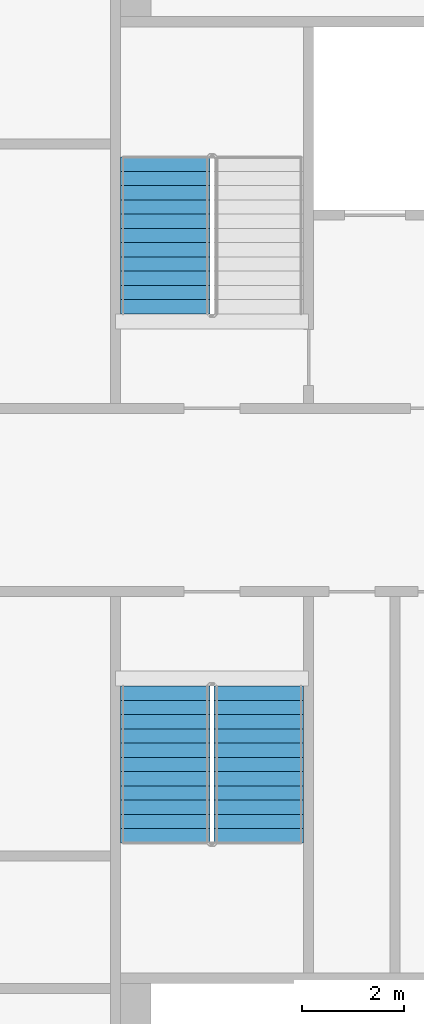
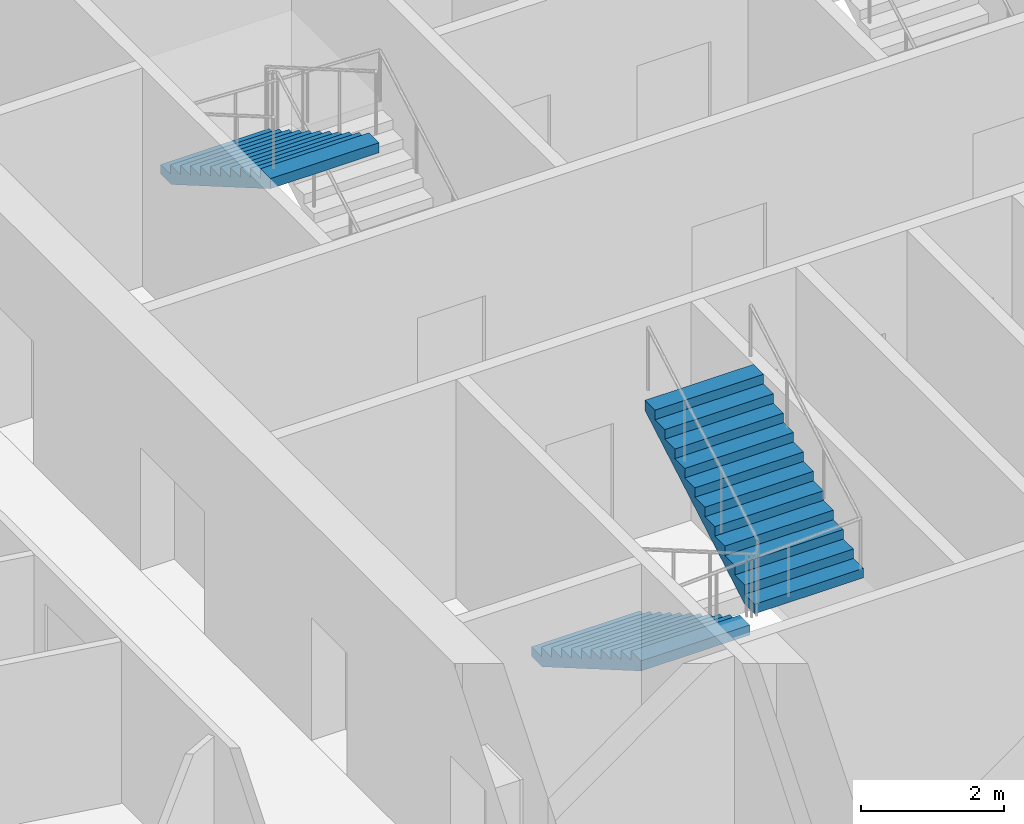
# One storey, part 16 of 23: 3 stair flights, 2 elements without a shape of their own.
"""IFC4 building model written with IfcOpenShell, lengths in metres."""

from ifc_helpers import new_model, si_unit, direction, frame, origin, place, context, subcontext, project, spatial, faceted_brep, material, type_object, element, aggregate, save


model = new_model("IFC4")

# Units and contexts
model_context = context("Model", 3, precision=1e-05, world=origin(), true_north=direction((0.0, 1.0)))
body_context = subcontext(model_context, "Body", "Model", "MODEL_VIEW")
ifc_project = project(units=[si_unit("LENGTHUNIT", "METRE"), si_unit("AREAUNIT", "SQUARE_METRE"), si_unit("VOLUMEUNIT", "CUBIC_METRE"), si_unit("PLANEANGLEUNIT", "RADIAN"), si_unit("MASSUNIT", "GRAM", prefix="KILO")], contexts=[model_context])

# Site, building, storey
site_placement = place(None, origin())
site = spatial("IfcSite", under=ifc_project, at=site_placement, CompositionType="ELEMENT")
building_placement = place(site_placement, origin())
building = spatial("IfcBuilding", under=site, at=building_placement, Name="Tarsis Ring Headquarters", CompositionType="ELEMENT")
storey_placement = place(building_placement, frame((0.0, 0.0, 239.39990234375)))
storey = spatial("IfcBuildingStorey", under=building, at=storey_placement, Name="L56", CompositionType="ELEMENT", Elevation=239.39990234375)

# Stair, stair flight
ifc_material_1 = material(Name="Core stair 1760")
stair_type = type_object("IfcStairType", Name="Core stair 1760", PredefinedType="HALF_TURN_STAIR", material=ifc_material_1)
stair_1_placement = place(storey_placement, origin())
stair_1 = element("IfcStair", 1, at=stair_1_placement, inside=storey, type_object=stair_type, Name="L56 Firefighting stair", PredefinedType="HALF_TURN_STAIR")
ifc_material_2 = material(Name="Concrete C40/50", Category="concrete")
stair_flight_type = type_object("IfcStairFlightType", Name="Core stair flight 1760", PredefinedType="STRAIGHT", material=ifc_material_2)
stair_flight_1_placement = place(storey_placement, frame((-5.419921875, 6.739990234375, 1.9501953125), z_axis=(0.0, 0.0, 1.0), x_axis=(0.0, -1.0, 0.0)))
stair_flight_1 = element("IfcStairFlight", 2, at=stair_flight_1_placement, type_object=stair_flight_type, Name="Stair ST1 flight 2", NumberOfRisers=12, NumberOfTreads=11, PredefinedType="STRAIGHT", RiserHeight=0.1625, TreadLength=0.28, context=body_context, shape_type="Brep", body=[
    faceted_brep([(0.0, 0.8798828125, 0.0), (0.0, 0.8798828125, 0.16259765625), (0.280029296875, 0.8798828125, 0.16259765625), (0.280029296875, 0.8798828125, 0.324951171875), (0.56005859375, 0.8798828125, 0.324951171875), (0.56005859375, 0.8798828125, 0.487548828125), (0.840087890625, 0.8798828125, 0.487548828125), (0.840087890625, 0.8798828125, 0.64990234375), (1.1201171875, 0.8798828125, 0.64990234375), (1.1201171875, 0.8798828125, 0.8125), (1.39990234375, 0.8798828125, 0.8125), (1.39990234375, 0.8798828125, 0.97509765625), (1.679931640625, 0.8798828125, 0.97509765625), (1.679931640625, 0.8798828125, 1.137451171875), (1.9599609375, 0.8798828125, 1.137451171875), (1.9599609375, 0.8798828125, 1.300048828125), (2.239990234375, 0.8798828125, 1.300048828125), (2.239990234375, 0.8798828125, 1.46240234375), (2.52001953125, 0.8798828125, 1.46240234375), (2.52001953125, 0.8798828125, 1.625), (2.800048828125, 0.8798828125, 1.625), (2.800048828125, 0.8798828125, 1.78759765625), (3.080078125, 0.8798828125, 1.78759765625), (3.080078125, 0.8798828125, 1.6142578125), (0.298583984375, 0.8798828125, 0.0), (0.298583984375, -0.8798828125, 0.0), (3.080078125, -0.8798828125, 1.6142578125), (3.080078125, -0.8798828125, 1.78759765625), (2.800048828125, -0.8798828125, 1.78759765625), (2.800048828125, -0.8798828125, 1.625), (2.52001953125, -0.8798828125, 1.625), (2.52001953125, -0.8798828125, 1.46240234375), (2.239990234375, -0.8798828125, 1.46240234375), (2.239990234375, -0.8798828125, 1.300048828125), (1.9599609375, -0.8798828125, 1.300048828125), (1.9599609375, -0.8798828125, 1.137451171875), (1.679931640625, -0.8798828125, 1.137451171875), (1.679931640625, -0.8798828125, 0.97509765625), (1.39990234375, -0.8798828125, 0.97509765625), (1.39990234375, -0.8798828125, 0.8125), (1.1201171875, -0.8798828125, 0.8125), (1.1201171875, -0.8798828125, 0.64990234375), (0.840087890625, -0.8798828125, 0.64990234375), (0.840087890625, -0.8798828125, 0.487548828125), (0.56005859375, -0.8798828125, 0.487548828125), (0.56005859375, -0.8798828125, 0.324951171875), (0.280029296875, -0.8798828125, 0.324951171875), (0.280029296875, -0.8798828125, 0.16259765625), (0.0, -0.8798828125, 0.16259765625), (0.0, -0.8798828125, 0.0), (0.0, -0.43994140625, 0.16259765625), (0.0, -0.43994140625, 0.0), (0.0, 0.0, 0.16259765625), (0.0, 0.0, 0.0), (0.0, 0.43994140625, 0.16259765625), (0.0, 0.43994140625, 0.0), (0.280029296875, -0.43994140625, 0.16259765625), (0.280029296875, 0.0, 0.16259765625), (0.280029296875, 0.43994140625, 0.16259765625), (0.280029296875, -0.43994140625, 0.324951171875), (0.280029296875, 0.0, 0.324951171875), (0.280029296875, 0.43994140625, 0.324951171875), (0.56005859375, -0.43994140625, 0.324951171875), (0.56005859375, 0.0, 0.324951171875), (0.56005859375, 0.43994140625, 0.324951171875), (0.56005859375, -0.43994140625, 0.487548828125), (0.56005859375, 0.0, 0.487548828125), (0.56005859375, 0.43994140625, 0.487548828125), (0.840087890625, -0.43994140625, 0.487548828125), (0.840087890625, 0.0, 0.487548828125), (0.840087890625, 0.43994140625, 0.487548828125), (0.840087890625, -0.43994140625, 0.64990234375), (0.840087890625, 0.0, 0.64990234375), (0.840087890625, 0.43994140625, 0.64990234375), (1.1201171875, -0.43994140625, 0.64990234375), (1.1201171875, 0.0, 0.64990234375), (1.1201171875, 0.43994140625, 0.64990234375), (1.1201171875, -0.43994140625, 0.8125), (1.1201171875, 0.0, 0.8125), (1.1201171875, 0.43994140625, 0.8125), (1.39990234375, -0.43994140625, 0.8125), (1.39990234375, 0.0, 0.8125), (1.39990234375, 0.43994140625, 0.8125), (1.39990234375, -0.43994140625, 0.97509765625), (1.39990234375, 0.0, 0.97509765625), (1.39990234375, 0.43994140625, 0.97509765625), (1.679931640625, -0.43994140625, 0.97509765625), (1.679931640625, 0.0, 0.97509765625), (1.679931640625, 0.43994140625, 0.97509765625), (1.679931640625, -0.43994140625, 1.137451171875), (1.679931640625, 0.0, 1.137451171875), (1.679931640625, 0.43994140625, 1.137451171875), (1.9599609375, -0.43994140625, 1.137451171875), (1.9599609375, 0.0, 1.137451171875), (1.9599609375, 0.43994140625, 1.137451171875), (1.9599609375, -0.43994140625, 1.300048828125), (1.9599609375, 0.0, 1.300048828125), (1.9599609375, 0.43994140625, 1.300048828125), (2.239990234375, -0.43994140625, 1.300048828125), (2.239990234375, 0.0, 1.300048828125), (2.239990234375, 0.43994140625, 1.300048828125), (2.239990234375, -0.43994140625, 1.46240234375), (2.239990234375, 0.0, 1.46240234375), (2.239990234375, 0.43994140625, 1.46240234375), (2.52001953125, -0.43994140625, 1.46240234375), (2.52001953125, 0.0, 1.46240234375), (2.52001953125, 0.43994140625, 1.46240234375), (2.52001953125, -0.43994140625, 1.625), (2.52001953125, 0.0, 1.625), (2.52001953125, 0.43994140625, 1.625), (2.800048828125, -0.43994140625, 1.625), (2.800048828125, 0.0, 1.625), (2.800048828125, 0.43994140625, 1.625), (2.800048828125, -0.43994140625, 1.78759765625), (2.800048828125, 0.0, 1.78759765625), (2.800048828125, 0.43994140625, 1.78759765625), (3.080078125, -0.43994140625, 1.78759765625), (3.080078125, 0.0, 1.78759765625), (3.080078125, 0.43994140625, 1.78759765625), (3.080078125, -0.43994140625, 1.6142578125), (3.080078125, 0.0, 1.6142578125), (3.080078125, 0.43994140625, 1.6142578125), (0.298583984375, -0.43994140625, 0.0), (0.298583984375, 0.0, 0.0), (0.298583984375, 0.43994140625, 0.0)], [[[0, 1, 2, 3, 4, 5, 6, 7, 8, 9, 10, 11, 12, 13, 14, 15, 16, 17, 18, 19, 20, 21, 22, 23, 24]], [[25, 26, 27, 28, 29, 30, 31, 32, 33, 34, 35, 36, 37, 38, 39, 40, 41, 42, 43, 44, 45, 46, 47, 48, 49]], [[49, 48, 50, 51]], [[51, 50, 52, 53]], [[53, 52, 54, 55]], [[55, 54, 1, 0]], [[48, 47, 56, 50]], [[50, 56, 57, 52]], [[52, 57, 58, 54]], [[54, 58, 2, 1]], [[47, 46, 59, 56]], [[56, 59, 60, 57]], [[57, 60, 61, 58]], [[58, 61, 3, 2]], [[46, 45, 62, 59]], [[59, 62, 63, 60]], [[60, 63, 64, 61]], [[61, 64, 4, 3]], [[45, 44, 65, 62]], [[62, 65, 66, 63]], [[63, 66, 67, 64]], [[64, 67, 5, 4]], [[44, 43, 68, 65]], [[65, 68, 69, 66]], [[66, 69, 70, 67]], [[67, 70, 6, 5]], [[43, 42, 71, 68]], [[68, 71, 72, 69]], [[69, 72, 73, 70]], [[70, 73, 7, 6]], [[42, 41, 74, 71]], [[71, 74, 75, 72]], [[72, 75, 76, 73]], [[73, 76, 8, 7]], [[41, 40, 77, 74]], [[74, 77, 78, 75]], [[75, 78, 79, 76]], [[76, 79, 9, 8]], [[40, 39, 80, 77]], [[77, 80, 81, 78]], [[78, 81, 82, 79]], [[79, 82, 10, 9]], [[39, 38, 83, 80]], [[80, 83, 84, 81]], [[81, 84, 85, 82]], [[82, 85, 11, 10]], [[38, 37, 86, 83]], [[83, 86, 87, 84]], [[84, 87, 88, 85]], [[85, 88, 12, 11]], [[37, 36, 89, 86]], [[86, 89, 90, 87]], [[87, 90, 91, 88]], [[88, 91, 13, 12]], [[36, 35, 92, 89]], [[89, 92, 93, 90]], [[90, 93, 94, 91]], [[91, 94, 14, 13]], [[35, 34, 95, 92]], [[92, 95, 96, 93]], [[93, 96, 97, 94]], [[94, 97, 15, 14]], [[34, 33, 98, 95]], [[95, 98, 99, 96]], [[96, 99, 100, 97]], [[97, 100, 16, 15]], [[33, 32, 101, 98]], [[98, 101, 102, 99]], [[99, 102, 103, 100]], [[100, 103, 17, 16]], [[32, 31, 104, 101]], [[101, 104, 105, 102]], [[102, 105, 106, 103]], [[103, 106, 18, 17]], [[31, 30, 107, 104]], [[104, 107, 108, 105]], [[105, 108, 109, 106]], [[106, 109, 19, 18]], [[30, 29, 110, 107]], [[107, 110, 111, 108]], [[108, 111, 112, 109]], [[109, 112, 20, 19]], [[29, 28, 113, 110]], [[110, 113, 114, 111]], [[111, 114, 115, 112]], [[112, 115, 21, 20]], [[28, 27, 116, 113]], [[113, 116, 117, 114]], [[114, 117, 118, 115]], [[115, 118, 22, 21]], [[27, 26, 119, 116]], [[116, 119, 120, 117]], [[117, 120, 121, 118]], [[118, 121, 23, 22]], [[26, 25, 122, 119]], [[119, 122, 123, 120]], [[120, 123, 124, 121]], [[121, 124, 24, 23]], [[25, 49, 51, 122]], [[122, 51, 53, 123]], [[123, 53, 55, 124]], [[124, 55, 0, 24]]]),
])
aggregate(stair_1, [stair_flight_1])

# Stair, stair flights
stair_2_placement = place(storey_placement, origin())
stair_2 = element("IfcStair", 3, at=stair_2_placement, inside=storey, type_object=stair_type, Name="L56 Exit stair C", PredefinedType="HALF_TURN_STAIR")
stair_flight_2_placement = place(storey_placement, frame((-5.419921875, -3.659912109375, 0.0), z_axis=(0.0, 0.0, 1.0), x_axis=(0.0, -1.0, 0.0)))
stair_flight_2 = element("IfcStairFlight", 4, at=stair_flight_2_placement, type_object=stair_flight_type, Name="Stair ST3 flight 1", NumberOfRisers=12, NumberOfTreads=11, PredefinedType="STRAIGHT", RiserHeight=0.1625, TreadLength=0.28, context=body_context, shape_type="Brep", body=[
    faceted_brep([(0.0, 0.8798828125, 0.0), (0.0, 0.8798828125, 0.16259765625), (0.280029296875, 0.8798828125, 0.16259765625), (0.280029296875, 0.8798828125, 0.324951171875), (0.56005859375, 0.8798828125, 0.324951171875), (0.56005859375, 0.8798828125, 0.487548828125), (0.840087890625, 0.8798828125, 0.487548828125), (0.840087890625, 0.8798828125, 0.64990234375), (1.1201171875, 0.8798828125, 0.64990234375), (1.1201171875, 0.8798828125, 0.8125), (1.39990234375, 0.8798828125, 0.8125), (1.39990234375, 0.8798828125, 0.97509765625), (1.679931640625, 0.8798828125, 0.97509765625), (1.679931640625, 0.8798828125, 1.137451171875), (1.9599609375, 0.8798828125, 1.137451171875), (1.9599609375, 0.8798828125, 1.300048828125), (2.239990234375, 0.8798828125, 1.300048828125), (2.239990234375, 0.8798828125, 1.46240234375), (2.52001953125, 0.8798828125, 1.46240234375), (2.52001953125, 0.8798828125, 1.625), (2.800048828125, 0.8798828125, 1.625), (2.800048828125, 0.8798828125, 1.78759765625), (3.080078125, 0.8798828125, 1.78759765625), (3.080078125, 0.8798828125, 1.6142578125), (0.298583984375, 0.8798828125, 0.0), (0.298583984375, -0.8798828125, 0.0), (3.080078125, -0.8798828125, 1.6142578125), (3.080078125, -0.8798828125, 1.78759765625), (2.800048828125, -0.8798828125, 1.78759765625), (2.800048828125, -0.8798828125, 1.625), (2.52001953125, -0.8798828125, 1.625), (2.52001953125, -0.8798828125, 1.46240234375), (2.239990234375, -0.8798828125, 1.46240234375), (2.239990234375, -0.8798828125, 1.300048828125), (1.9599609375, -0.8798828125, 1.300048828125), (1.9599609375, -0.8798828125, 1.137451171875), (1.679931640625, -0.8798828125, 1.137451171875), (1.679931640625, -0.8798828125, 0.97509765625), (1.39990234375, -0.8798828125, 0.97509765625), (1.39990234375, -0.8798828125, 0.8125), (1.1201171875, -0.8798828125, 0.8125), (1.1201171875, -0.8798828125, 0.64990234375), (0.840087890625, -0.8798828125, 0.64990234375), (0.840087890625, -0.8798828125, 0.487548828125), (0.56005859375, -0.8798828125, 0.487548828125), (0.56005859375, -0.8798828125, 0.324951171875), (0.280029296875, -0.8798828125, 0.324951171875), (0.280029296875, -0.8798828125, 0.16259765625), (0.0, -0.8798828125, 0.16259765625), (0.0, -0.8798828125, 0.0), (0.0, -0.43994140625, 0.16259765625), (0.0, -0.43994140625, 0.0), (0.0, 0.0, 0.16259765625), (0.0, 0.0, 0.0), (0.0, 0.43994140625, 0.16259765625), (0.0, 0.43994140625, 0.0), (0.280029296875, -0.43994140625, 0.16259765625), (0.280029296875, 0.0, 0.16259765625), (0.280029296875, 0.43994140625, 0.16259765625), (0.280029296875, -0.43994140625, 0.324951171875), (0.280029296875, 0.0, 0.324951171875), (0.280029296875, 0.43994140625, 0.324951171875), (0.56005859375, -0.43994140625, 0.324951171875), (0.56005859375, 0.0, 0.324951171875), (0.56005859375, 0.43994140625, 0.324951171875), (0.56005859375, -0.43994140625, 0.487548828125), (0.56005859375, 0.0, 0.487548828125), (0.56005859375, 0.43994140625, 0.487548828125), (0.840087890625, -0.43994140625, 0.487548828125), (0.840087890625, 0.0, 0.487548828125), (0.840087890625, 0.43994140625, 0.487548828125), (0.840087890625, -0.43994140625, 0.64990234375), (0.840087890625, 0.0, 0.64990234375), (0.840087890625, 0.43994140625, 0.64990234375), (1.1201171875, -0.43994140625, 0.64990234375), (1.1201171875, 0.0, 0.64990234375), (1.1201171875, 0.43994140625, 0.64990234375), (1.1201171875, -0.43994140625, 0.8125), (1.1201171875, 0.0, 0.8125), (1.1201171875, 0.43994140625, 0.8125), (1.39990234375, -0.43994140625, 0.8125), (1.39990234375, 0.0, 0.8125), (1.39990234375, 0.43994140625, 0.8125), (1.39990234375, -0.43994140625, 0.97509765625), (1.39990234375, 0.0, 0.97509765625), (1.39990234375, 0.43994140625, 0.97509765625), (1.679931640625, -0.43994140625, 0.97509765625), (1.679931640625, 0.0, 0.97509765625), (1.679931640625, 0.43994140625, 0.97509765625), (1.679931640625, -0.43994140625, 1.137451171875), (1.679931640625, 0.0, 1.137451171875), (1.679931640625, 0.43994140625, 1.137451171875), (1.9599609375, -0.43994140625, 1.137451171875), (1.9599609375, 0.0, 1.137451171875), (1.9599609375, 0.43994140625, 1.137451171875), (1.9599609375, -0.43994140625, 1.300048828125), (1.9599609375, 0.0, 1.300048828125), (1.9599609375, 0.43994140625, 1.300048828125), (2.239990234375, -0.43994140625, 1.300048828125), (2.239990234375, 0.0, 1.300048828125), (2.239990234375, 0.43994140625, 1.300048828125), (2.239990234375, -0.43994140625, 1.46240234375), (2.239990234375, 0.0, 1.46240234375), (2.239990234375, 0.43994140625, 1.46240234375), (2.52001953125, -0.43994140625, 1.46240234375), (2.52001953125, 0.0, 1.46240234375), (2.52001953125, 0.43994140625, 1.46240234375), (2.52001953125, -0.43994140625, 1.625), (2.52001953125, 0.0, 1.625), (2.52001953125, 0.43994140625, 1.625), (2.800048828125, -0.43994140625, 1.625), (2.800048828125, 0.0, 1.625), (2.800048828125, 0.43994140625, 1.625), (2.800048828125, -0.43994140625, 1.78759765625), (2.800048828125, 0.0, 1.78759765625), (2.800048828125, 0.43994140625, 1.78759765625), (3.080078125, -0.43994140625, 1.78759765625), (3.080078125, 0.0, 1.78759765625), (3.080078125, 0.43994140625, 1.78759765625), (3.080078125, -0.43994140625, 1.6142578125), (3.080078125, 0.0, 1.6142578125), (3.080078125, 0.43994140625, 1.6142578125), (0.298583984375, -0.43994140625, 0.0), (0.298583984375, 0.0, 0.0), (0.298583984375, 0.43994140625, 0.0)], [[[0, 1, 2, 3, 4, 5, 6, 7, 8, 9, 10, 11, 12, 13, 14, 15, 16, 17, 18, 19, 20, 21, 22, 23, 24]], [[25, 26, 27, 28, 29, 30, 31, 32, 33, 34, 35, 36, 37, 38, 39, 40, 41, 42, 43, 44, 45, 46, 47, 48, 49]], [[49, 48, 50, 51]], [[51, 50, 52, 53]], [[53, 52, 54, 55]], [[55, 54, 1, 0]], [[48, 47, 56, 50]], [[50, 56, 57, 52]], [[52, 57, 58, 54]], [[54, 58, 2, 1]], [[47, 46, 59, 56]], [[56, 59, 60, 57]], [[57, 60, 61, 58]], [[58, 61, 3, 2]], [[46, 45, 62, 59]], [[59, 62, 63, 60]], [[60, 63, 64, 61]], [[61, 64, 4, 3]], [[45, 44, 65, 62]], [[62, 65, 66, 63]], [[63, 66, 67, 64]], [[64, 67, 5, 4]], [[44, 43, 68, 65]], [[65, 68, 69, 66]], [[66, 69, 70, 67]], [[67, 70, 6, 5]], [[43, 42, 71, 68]], [[68, 71, 72, 69]], [[69, 72, 73, 70]], [[70, 73, 7, 6]], [[42, 41, 74, 71]], [[71, 74, 75, 72]], [[72, 75, 76, 73]], [[73, 76, 8, 7]], [[41, 40, 77, 74]], [[74, 77, 78, 75]], [[75, 78, 79, 76]], [[76, 79, 9, 8]], [[40, 39, 80, 77]], [[77, 80, 81, 78]], [[78, 81, 82, 79]], [[79, 82, 10, 9]], [[39, 38, 83, 80]], [[80, 83, 84, 81]], [[81, 84, 85, 82]], [[82, 85, 11, 10]], [[38, 37, 86, 83]], [[83, 86, 87, 84]], [[84, 87, 88, 85]], [[85, 88, 12, 11]], [[37, 36, 89, 86]], [[86, 89, 90, 87]], [[87, 90, 91, 88]], [[88, 91, 13, 12]], [[36, 35, 92, 89]], [[89, 92, 93, 90]], [[90, 93, 94, 91]], [[91, 94, 14, 13]], [[35, 34, 95, 92]], [[92, 95, 96, 93]], [[93, 96, 97, 94]], [[94, 97, 15, 14]], [[34, 33, 98, 95]], [[95, 98, 99, 96]], [[96, 99, 100, 97]], [[97, 100, 16, 15]], [[33, 32, 101, 98]], [[98, 101, 102, 99]], [[99, 102, 103, 100]], [[100, 103, 17, 16]], [[32, 31, 104, 101]], [[101, 104, 105, 102]], [[102, 105, 106, 103]], [[103, 106, 18, 17]], [[31, 30, 107, 104]], [[104, 107, 108, 105]], [[105, 108, 109, 106]], [[106, 109, 19, 18]], [[30, 29, 110, 107]], [[107, 110, 111, 108]], [[108, 111, 112, 109]], [[109, 112, 20, 19]], [[29, 28, 113, 110]], [[110, 113, 114, 111]], [[111, 114, 115, 112]], [[112, 115, 21, 20]], [[28, 27, 116, 113]], [[113, 116, 117, 114]], [[114, 117, 118, 115]], [[115, 118, 22, 21]], [[27, 26, 119, 116]], [[116, 119, 120, 117]], [[117, 120, 121, 118]], [[118, 121, 23, 22]], [[26, 25, 122, 119]], [[119, 122, 123, 120]], [[120, 123, 124, 121]], [[121, 124, 24, 23]], [[25, 49, 51, 122]], [[122, 51, 53, 123]], [[123, 53, 55, 124]], [[124, 55, 0, 24]]]),
])
stair_flight_3_placement = place(storey_placement, frame((-3.580078125, -6.739990234375, 1.9501953125), z_axis=(0.0, 0.0, 1.0), x_axis=(0.0, 1.0, 0.0)))
stair_flight_3 = element("IfcStairFlight", 5, at=stair_flight_3_placement, type_object=stair_flight_type, Name="Stair ST3 flight 2", NumberOfRisers=12, NumberOfTreads=11, PredefinedType="STRAIGHT", RiserHeight=0.1625, TreadLength=0.28, context=body_context, shape_type="Brep", body=[
    faceted_brep([(0.0, 0.8798828125, 0.0), (0.0, 0.8798828125, 0.16259765625), (0.280029296875, 0.8798828125, 0.16259765625), (0.280029296875, 0.8798828125, 0.324951171875), (0.56005859375, 0.8798828125, 0.324951171875), (0.56005859375, 0.8798828125, 0.487548828125), (0.840087890625, 0.8798828125, 0.487548828125), (0.840087890625, 0.8798828125, 0.64990234375), (1.1201171875, 0.8798828125, 0.64990234375), (1.1201171875, 0.8798828125, 0.8125), (1.39990234375, 0.8798828125, 0.8125), (1.39990234375, 0.8798828125, 0.97509765625), (1.679931640625, 0.8798828125, 0.97509765625), (1.679931640625, 0.8798828125, 1.137451171875), (1.9599609375, 0.8798828125, 1.137451171875), (1.9599609375, 0.8798828125, 1.300048828125), (2.239990234375, 0.8798828125, 1.300048828125), (2.239990234375, 0.8798828125, 1.46240234375), (2.52001953125, 0.8798828125, 1.46240234375), (2.52001953125, 0.8798828125, 1.625), (2.800048828125, 0.8798828125, 1.625), (2.800048828125, 0.8798828125, 1.78759765625), (3.080078125, 0.8798828125, 1.78759765625), (3.080078125, 0.8798828125, 1.6142578125), (0.298583984375, 0.8798828125, 0.0), (0.298583984375, -0.8798828125, 0.0), (3.080078125, -0.8798828125, 1.6142578125), (3.080078125, -0.8798828125, 1.78759765625), (2.800048828125, -0.8798828125, 1.78759765625), (2.800048828125, -0.8798828125, 1.625), (2.52001953125, -0.8798828125, 1.625), (2.52001953125, -0.8798828125, 1.46240234375), (2.239990234375, -0.8798828125, 1.46240234375), (2.239990234375, -0.8798828125, 1.300048828125), (1.9599609375, -0.8798828125, 1.300048828125), (1.9599609375, -0.8798828125, 1.137451171875), (1.679931640625, -0.8798828125, 1.137451171875), (1.679931640625, -0.8798828125, 0.97509765625), (1.39990234375, -0.8798828125, 0.97509765625), (1.39990234375, -0.8798828125, 0.8125), (1.1201171875, -0.8798828125, 0.8125), (1.1201171875, -0.8798828125, 0.64990234375), (0.840087890625, -0.8798828125, 0.64990234375), (0.840087890625, -0.8798828125, 0.487548828125), (0.56005859375, -0.8798828125, 0.487548828125), (0.56005859375, -0.8798828125, 0.324951171875), (0.280029296875, -0.8798828125, 0.324951171875), (0.280029296875, -0.8798828125, 0.16259765625), (0.0, -0.8798828125, 0.16259765625), (0.0, -0.8798828125, 0.0), (0.0, -0.43994140625, 0.16259765625), (0.0, -0.43994140625, 0.0), (0.0, 0.0, 0.16259765625), (0.0, 0.0, 0.0), (0.0, 0.43994140625, 0.16259765625), (0.0, 0.43994140625, 0.0), (0.280029296875, -0.43994140625, 0.16259765625), (0.280029296875, 0.0, 0.16259765625), (0.280029296875, 0.43994140625, 0.16259765625), (0.280029296875, -0.43994140625, 0.324951171875), (0.280029296875, 0.0, 0.324951171875), (0.280029296875, 0.43994140625, 0.324951171875), (0.56005859375, -0.43994140625, 0.324951171875), (0.56005859375, 0.0, 0.324951171875), (0.56005859375, 0.43994140625, 0.324951171875), (0.56005859375, -0.43994140625, 0.487548828125), (0.56005859375, 0.0, 0.487548828125), (0.56005859375, 0.43994140625, 0.487548828125), (0.840087890625, -0.43994140625, 0.487548828125), (0.840087890625, 0.0, 0.487548828125), (0.840087890625, 0.43994140625, 0.487548828125), (0.840087890625, -0.43994140625, 0.64990234375), (0.840087890625, 0.0, 0.64990234375), (0.840087890625, 0.43994140625, 0.64990234375), (1.1201171875, -0.43994140625, 0.64990234375), (1.1201171875, 0.0, 0.64990234375), (1.1201171875, 0.43994140625, 0.64990234375), (1.1201171875, -0.43994140625, 0.8125), (1.1201171875, 0.0, 0.8125), (1.1201171875, 0.43994140625, 0.8125), (1.39990234375, -0.43994140625, 0.8125), (1.39990234375, 0.0, 0.8125), (1.39990234375, 0.43994140625, 0.8125), (1.39990234375, -0.43994140625, 0.97509765625), (1.39990234375, 0.0, 0.97509765625), (1.39990234375, 0.43994140625, 0.97509765625), (1.679931640625, -0.43994140625, 0.97509765625), (1.679931640625, 0.0, 0.97509765625), (1.679931640625, 0.43994140625, 0.97509765625), (1.679931640625, -0.43994140625, 1.137451171875), (1.679931640625, 0.0, 1.137451171875), (1.679931640625, 0.43994140625, 1.137451171875), (1.9599609375, -0.43994140625, 1.137451171875), (1.9599609375, 0.0, 1.137451171875), (1.9599609375, 0.43994140625, 1.137451171875), (1.9599609375, -0.43994140625, 1.300048828125), (1.9599609375, 0.0, 1.300048828125), (1.9599609375, 0.43994140625, 1.300048828125), (2.239990234375, -0.43994140625, 1.300048828125), (2.239990234375, 0.0, 1.300048828125), (2.239990234375, 0.43994140625, 1.300048828125), (2.239990234375, -0.43994140625, 1.46240234375), (2.239990234375, 0.0, 1.46240234375), (2.239990234375, 0.43994140625, 1.46240234375), (2.52001953125, -0.43994140625, 1.46240234375), (2.52001953125, 0.0, 1.46240234375), (2.52001953125, 0.43994140625, 1.46240234375), (2.52001953125, -0.43994140625, 1.625), (2.52001953125, 0.0, 1.625), (2.52001953125, 0.43994140625, 1.625), (2.800048828125, -0.43994140625, 1.625), (2.800048828125, 0.0, 1.625), (2.800048828125, 0.43994140625, 1.625), (2.800048828125, -0.43994140625, 1.78759765625), (2.800048828125, 0.0, 1.78759765625), (2.800048828125, 0.43994140625, 1.78759765625), (3.080078125, -0.43994140625, 1.78759765625), (3.080078125, 0.0, 1.78759765625), (3.080078125, 0.43994140625, 1.78759765625), (3.080078125, -0.43994140625, 1.6142578125), (3.080078125, 0.0, 1.6142578125), (3.080078125, 0.43994140625, 1.6142578125), (0.298583984375, -0.43994140625, 0.0), (0.298583984375, 0.0, 0.0), (0.298583984375, 0.43994140625, 0.0)], [[[0, 1, 2, 3, 4, 5, 6, 7, 8, 9, 10, 11, 12, 13, 14, 15, 16, 17, 18, 19, 20, 21, 22, 23, 24]], [[25, 26, 27, 28, 29, 30, 31, 32, 33, 34, 35, 36, 37, 38, 39, 40, 41, 42, 43, 44, 45, 46, 47, 48, 49]], [[49, 48, 50, 51]], [[51, 50, 52, 53]], [[53, 52, 54, 55]], [[55, 54, 1, 0]], [[48, 47, 56, 50]], [[50, 56, 57, 52]], [[52, 57, 58, 54]], [[54, 58, 2, 1]], [[47, 46, 59, 56]], [[56, 59, 60, 57]], [[57, 60, 61, 58]], [[58, 61, 3, 2]], [[46, 45, 62, 59]], [[59, 62, 63, 60]], [[60, 63, 64, 61]], [[61, 64, 4, 3]], [[45, 44, 65, 62]], [[62, 65, 66, 63]], [[63, 66, 67, 64]], [[64, 67, 5, 4]], [[44, 43, 68, 65]], [[65, 68, 69, 66]], [[66, 69, 70, 67]], [[67, 70, 6, 5]], [[43, 42, 71, 68]], [[68, 71, 72, 69]], [[69, 72, 73, 70]], [[70, 73, 7, 6]], [[42, 41, 74, 71]], [[71, 74, 75, 72]], [[72, 75, 76, 73]], [[73, 76, 8, 7]], [[41, 40, 77, 74]], [[74, 77, 78, 75]], [[75, 78, 79, 76]], [[76, 79, 9, 8]], [[40, 39, 80, 77]], [[77, 80, 81, 78]], [[78, 81, 82, 79]], [[79, 82, 10, 9]], [[39, 38, 83, 80]], [[80, 83, 84, 81]], [[81, 84, 85, 82]], [[82, 85, 11, 10]], [[38, 37, 86, 83]], [[83, 86, 87, 84]], [[84, 87, 88, 85]], [[85, 88, 12, 11]], [[37, 36, 89, 86]], [[86, 89, 90, 87]], [[87, 90, 91, 88]], [[88, 91, 13, 12]], [[36, 35, 92, 89]], [[89, 92, 93, 90]], [[90, 93, 94, 91]], [[91, 94, 14, 13]], [[35, 34, 95, 92]], [[92, 95, 96, 93]], [[93, 96, 97, 94]], [[94, 97, 15, 14]], [[34, 33, 98, 95]], [[95, 98, 99, 96]], [[96, 99, 100, 97]], [[97, 100, 16, 15]], [[33, 32, 101, 98]], [[98, 101, 102, 99]], [[99, 102, 103, 100]], [[100, 103, 17, 16]], [[32, 31, 104, 101]], [[101, 104, 105, 102]], [[102, 105, 106, 103]], [[103, 106, 18, 17]], [[31, 30, 107, 104]], [[104, 107, 108, 105]], [[105, 108, 109, 106]], [[106, 109, 19, 18]], [[30, 29, 110, 107]], [[107, 110, 111, 108]], [[108, 111, 112, 109]], [[109, 112, 20, 19]], [[29, 28, 113, 110]], [[110, 113, 114, 111]], [[111, 114, 115, 112]], [[112, 115, 21, 20]], [[28, 27, 116, 113]], [[113, 116, 117, 114]], [[114, 117, 118, 115]], [[115, 118, 22, 21]], [[27, 26, 119, 116]], [[116, 119, 120, 117]], [[117, 120, 121, 118]], [[118, 121, 23, 22]], [[26, 25, 122, 119]], [[119, 122, 123, 120]], [[120, 123, 124, 121]], [[121, 124, 24, 23]], [[25, 49, 51, 122]], [[122, 51, 53, 123]], [[123, 53, 55, 124]], [[124, 55, 0, 24]]]),
])
aggregate(stair_2, [stair_flight_2, stair_flight_3])

save(model, "model.ifc")
